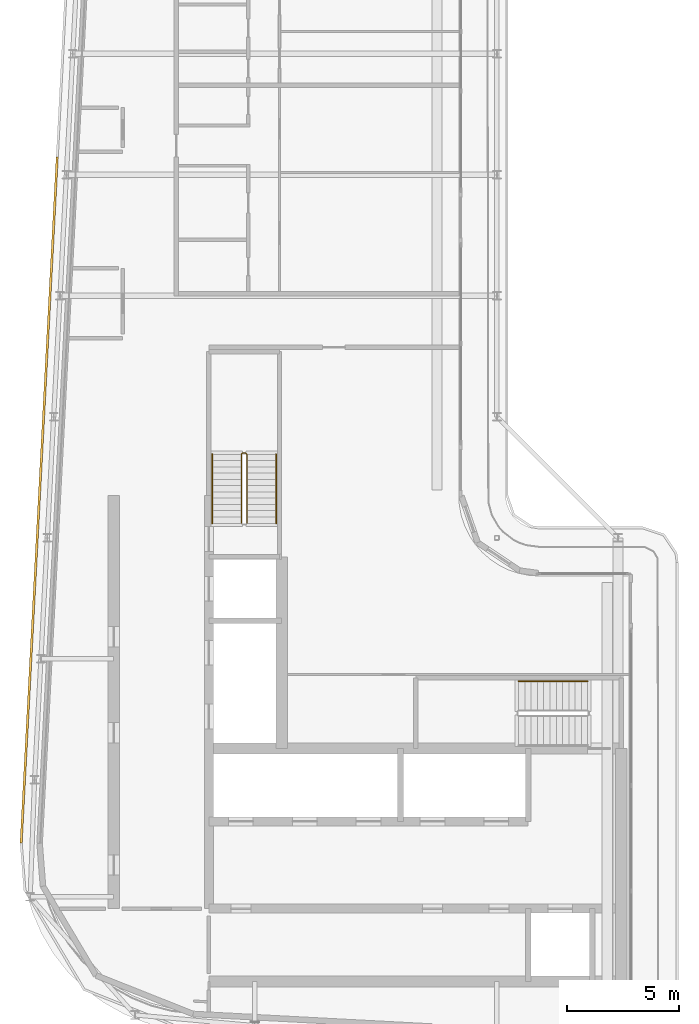
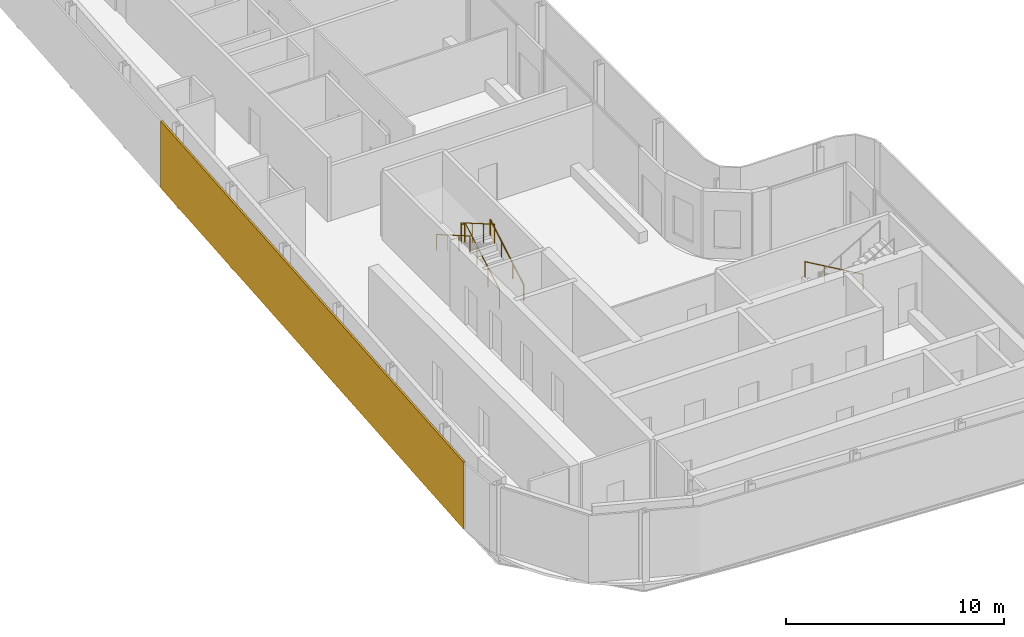
# One storey, part 15 of 19: 4 railings, 1 shading device.
"""IFC4 building model written with IfcOpenShell, lengths in metres."""

from ifc_helpers import new_model, si_unit, direction, frame, origin, origin_2d, place, context, subcontext, project, spatial, rectangle, circle, extrude, material, layer, layer_set, type_object, element, save


model = new_model("IFC4")

# Units and contexts
model_context = context("Model", 3, precision=1e-05, world=origin(), true_north=direction((0.0, 1.0)))
body_context = subcontext(model_context, "Body", "Model", "MODEL_VIEW")
ifc_project = project(units=[si_unit("LENGTHUNIT", "METRE"), si_unit("AREAUNIT", "SQUARE_METRE"), si_unit("VOLUMEUNIT", "CUBIC_METRE"), si_unit("PLANEANGLEUNIT", "RADIAN"), si_unit("MASSUNIT", "GRAM", prefix="KILO")], contexts=[model_context])

# Site, building, storey
site_placement = place(None, origin())
site = spatial("IfcSite", under=ifc_project, at=site_placement, CompositionType="ELEMENT")
building_placement = place(site_placement, origin())
building = spatial("IfcBuilding", under=site, at=building_placement, Name="Kheshtan School and Residences Tower", CompositionType="ELEMENT")
storey_placement = place(building_placement, frame((0.0, 0.0, 357.800048828125)))
storey = spatial("IfcBuildingStorey", under=building, at=storey_placement, Name="L84", CompositionType="ELEMENT", Elevation=357.800048828125)

# Shading device
ifc_material_1 = material(Name="Terracotta baguette, extruded ceramic", Category="masonry")
ifc_layer = layer(ifc_material_1, 0.10009765625)
ifc_layer_set = layer_set([ifc_layer], Name="Ledge screen, terracotta baguettes")
shading_device_type = type_object("IfcShadingDeviceType", Name="Ledge screen, terracotta baguettes", PredefinedType="USERDEFINED", material=ifc_layer_set)
shading_device_placement = place(storey_placement, frame((27.175048828125, 47.2890625, 0.0), z_axis=(0.0, 0.0, 1.0), x_axis=(0.052562536748, 0.998617634398, 0.0)))
element("IfcShadingDevice", 1, at=shading_device_placement, inside=storey, type_object=shading_device_type, Name="Screen L84 4", ObjectType="BAGUETTE", PredefinedType="USERDEFINED", context=body_context, shape_type="SweptSolid", body=[
    extrude(rectangle(XDim=30.636962890625, YDim=0.10009765625, at=origin_2d()), origin(), (0.0, 0.0, 1.0), 3.75),
])

# Railings
ifc_material_2 = material(Name="Stainless steel balustrade", Category="steel")
railing_type_1 = type_object("IfcRailingType", Name="Stair guard 1100", PredefinedType="GUARDRAIL", material=ifc_material_2)
railing_1_placement = place(storey_placement, frame((36.449951171875, 46.25, 0.162353515625)))
element("IfcRailing", 2, at=railing_1_placement, inside=storey, type_object=railing_type_1, Name="L84 ST2 stair guard 1", PredefinedType="GUARDRAIL", context=body_context, shape_type="SweptSolid", body=[
    extrude(circle(Radius=0.02392578125, at=origin_2d()), frame((0.0, 0.0, 1.076171875), z_axis=(0.0, 0.864890721111, 0.501960198159), x_axis=(-1.0, 0.0, 0.0)), (0.0, 0.0, 1.0), 3.561279296875),
    extrude(circle(Radius=0.02392578125, at=origin_2d()), frame((0.0, 3.080078125, 2.86376953125), z_axis=(-0.708833529934, 0.705375805398, 0.0), x_axis=(-0.705375805398, -0.708833529934, 0.0)), (0.0, 0.0, 1.0), 0.070556640625),
    extrude(circle(Radius=0.02392578125, at=origin_2d()), frame((-0.050048828125, 3.1298828125, 2.86376953125), z_axis=(-1.0, 0.0, 0.0), x_axis=(0.0, -1.0, 0.0)), (0.0, 0.0, 1.0), 0.14990234375),
    extrude(circle(Radius=0.02392578125, at=origin_2d()), frame((-0.199951171875, 3.1298828125, 2.86376953125), z_axis=(-0.282336740067, -0.280959487676, 0.917250092119), x_axis=(0.705375805398, -0.708833529934, 0.0)), (0.0, 0.0, 1.0), 0.17724609375),
    extrude(circle(Radius=0.02392578125, at=origin_2d()), frame((-0.25, 3.080078125, 3.0263671875), z_axis=(0.0, -0.864920483161, 0.501908913857), x_axis=(1.0, 0.0, 0.0)), (0.0, 0.0, 1.0), 3.56103515625),
    extrude(circle(Radius=0.02099609375, at=origin_2d()), origin(), (0.0, 0.0, 1.0), 1.052001953125),
    extrude(circle(Radius=0.02099609375, at=origin_2d()), frame((0.0, 1.026611328125, 0.595947265625)), (0.0, 0.0, 1.0), 1.052001953125),
    extrude(circle(Radius=0.02099609375, at=origin_2d()), frame((0.0, 2.053466796875, 1.191650390625)), (0.0, 0.0, 1.0), 1.052001953125),
    extrude(circle(Radius=0.02099609375, at=origin_2d()), frame((0.0, 3.080078125, 1.78759765625)), (0.0, 0.0, 1.0), 1.052001953125),
    extrude(circle(Radius=0.02099609375, at=origin_2d()), frame((-0.050048828125, 3.1298828125, 1.78759765625)), (0.0, 0.0, 1.0), 1.052001953125),
    extrude(circle(Radius=0.02099609375, at=origin_2d()), frame((-0.199951171875, 3.1298828125, 1.78759765625)), (0.0, 0.0, 1.0), 1.052001953125),
    extrude(circle(Radius=0.02099609375, at=origin_2d()), frame((-0.25, 3.080078125, 1.9501953125)), (0.0, 0.0, 1.0), 1.052001953125),
    extrude(circle(Radius=0.02099609375, at=origin_2d()), frame((-0.25, 2.053466796875, 2.5458984375)), (0.0, 0.0, 1.0), 1.052001953125),
    extrude(circle(Radius=0.02099609375, at=origin_2d()), frame((-0.25, 1.026611328125, 3.141845703125)), (0.0, 0.0, 1.0), 1.052001953125),
    extrude(circle(Radius=0.02099609375, at=origin_2d()), frame((-0.25, 0.0, 3.737548828125)), (0.0, 0.0, 1.0), 1.052001953125),
])
ifc_material_3 = material(Name="Stainless steel handrail", Category="steel")
railing_type_2 = type_object("IfcRailingType", Name="Stair handrail 900", PredefinedType="HANDRAIL", material=ifc_material_3)
railing_2_placement = place(storey_placement, frame((51.64990234375, 39.199951171875, 0.162353515625)))
element("IfcRailing", 3, at=railing_2_placement, inside=storey, type_object=railing_type_2, Name="L84 ST1 stair handrail 1", PredefinedType="HANDRAIL", context=body_context, shape_type="SweptSolid", body=[
    extrude(circle(Radius=0.02392578125, at=origin_2d()), frame((0.0, 0.0, 0.8759765625), z_axis=(-0.864873446163, 0.0, 0.501989962173), x_axis=(0.0, -1.0, 0.0)), (0.0, 0.0, 1.0), 3.56103515625),
    extrude(circle(Radius=0.02099609375, at=origin_2d()), origin(), (0.0, 0.0, 1.0), 0.851806640625),
    extrude(circle(Radius=0.02099609375, at=origin_2d()), frame((-1.026611328125, 0.0, 0.595947265625)), (0.0, 0.0, 1.0), 0.851806640625),
    extrude(circle(Radius=0.02099609375, at=origin_2d()), frame((-2.05322265625, 0.0, 1.191650390625)), (0.0, 0.0, 1.0), 0.851806640625),
    extrude(circle(Radius=0.02099609375, at=origin_2d()), frame((-3.079833984375, 0.0, 1.78759765625)), (0.0, 0.0, 1.0), 0.851806640625),
])
railing_3_placement = place(storey_placement, frame((37.75, 46.25, 0.162353515625)))
element("IfcRailing", 4, at=railing_3_placement, inside=storey, type_object=railing_type_2, Name="L84 ST2 stair handrail 1", PredefinedType="HANDRAIL", context=body_context, shape_type="SweptSolid", body=[
    extrude(circle(Radius=0.02392578125, at=origin_2d()), frame((0.0, 0.0, 0.8759765625), z_axis=(0.0, 0.864890721111, 0.501960198159), x_axis=(-1.0, 0.0, 0.0)), (0.0, 0.0, 1.0), 3.561279296875),
    extrude(circle(Radius=0.02099609375, at=origin_2d()), origin(), (0.0, 0.0, 1.0), 0.851806640625),
    extrude(circle(Radius=0.02099609375, at=origin_2d()), frame((0.0, 1.026611328125, 0.595947265625)), (0.0, 0.0, 1.0), 0.851806640625),
    extrude(circle(Radius=0.02099609375, at=origin_2d()), frame((0.0, 2.053466796875, 1.191650390625)), (0.0, 0.0, 1.0), 0.851806640625),
    extrude(circle(Radius=0.02099609375, at=origin_2d()), frame((0.0, 3.080078125, 1.78759765625)), (0.0, 0.0, 1.0), 0.851806640625),
])
railing_4_placement = place(storey_placement, frame((34.89990234375, 49.330078125, 2.112548828125)))
element("IfcRailing", 5, at=railing_4_placement, inside=storey, type_object=railing_type_2, Name="L84 ST2 stair handrail 2", PredefinedType="HANDRAIL", context=body_context, shape_type="SweptSolid", body=[
    extrude(circle(Radius=0.02392578125, at=origin_2d()), frame((0.0, 0.0, 0.8759765625), z_axis=(0.0, -0.864920483161, 0.501908913857), x_axis=(1.0, 0.0, 0.0)), (0.0, 0.0, 1.0), 3.56103515625),
    extrude(circle(Radius=0.02099609375, at=origin_2d()), origin(), (0.0, 0.0, 1.0), 0.851806640625),
    extrude(circle(Radius=0.02099609375, at=origin_2d()), frame((0.0, -1.026611328125, 0.595703125)), (0.0, 0.0, 1.0), 0.851806640625),
    extrude(circle(Radius=0.02099609375, at=origin_2d()), frame((0.0, -2.053466796875, 1.191650390625)), (0.0, 0.0, 1.0), 0.851806640625),
    extrude(circle(Radius=0.02099609375, at=origin_2d()), frame((0.0, -3.080078125, 1.787353515625)), (0.0, 0.0, 1.0), 0.851806640625),
])

save(model, "model.ifc")
